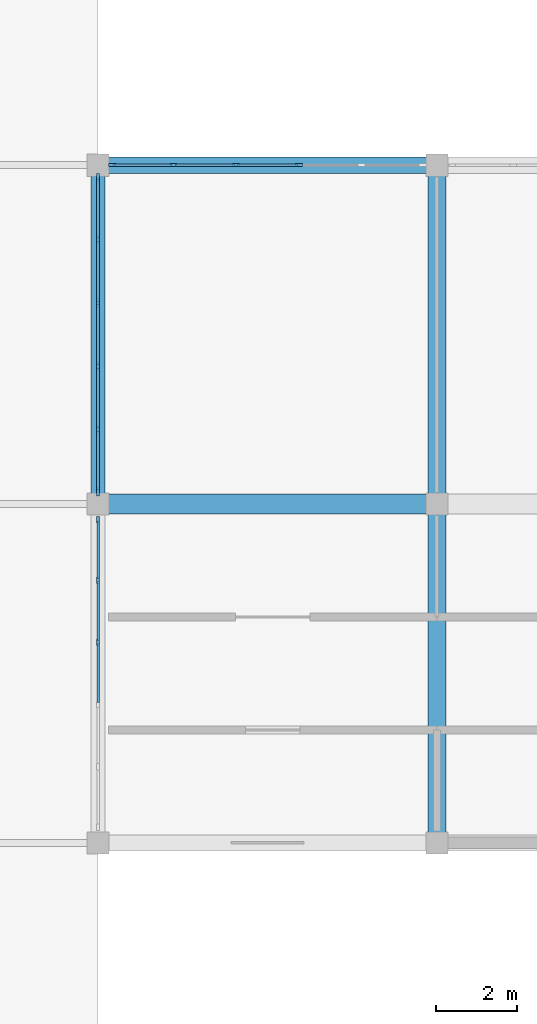
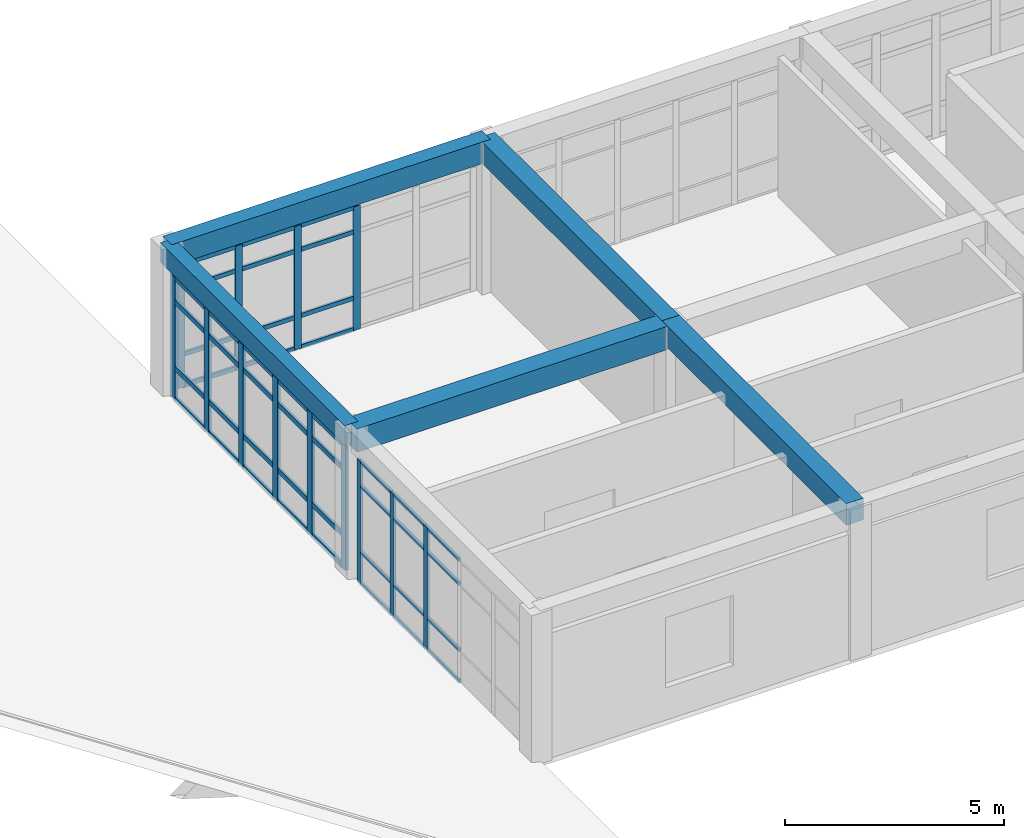
# One storey, part 10 of 77: 57 members, 5 beams, 3 elements without a shape of their own.
"""IFC4 building model written with IfcOpenShell, lengths in metres."""

import ifcopenshell
import ifcopenshell.guid

model = None  # the IFC model being written
_history = None  # IfcOwnerHistory: only IFC2X3 demands one
_inside = {}  # id of a spatial element -> (the spatial element, [elements in it])
_under = {}  # id of a project, library or spatial element -> (it, [spatial elements below it])
_declared = {}  # id of a project -> (the project, [libraries it declares])
_typed = {}  # id of a type object -> (the type object, [elements of that type])
_made_of = {}  # id of a material, layer set ... -> (it, [elements and type objects made of it])


def new_model(schema):
    """Start an empty IFC model of exactly this schema.

    Asked for "IFC4X3", IfcOpenShell would pick the latest addendum, in which some entities
    have other attributes; the version numbers below select the first issue.
    IFC2X3 requires an IfcOwnerHistory on every rooted entity: one is made here for all.
    """
    global model, _history
    if schema == "IFC4X3":
        model = ifcopenshell.file(schema_version=(4, 3, 0, 0))
    else:
        model = ifcopenshell.file(schema=schema)
    _inside.clear()
    _under.clear()
    _declared.clear()
    _typed.clear()
    _made_of.clear()
    _history = None
    if model.schema == "IFC2X3":
        org = make("IfcOrganization", Name="unknown")
        user = make(
            "IfcPersonAndOrganization",
            ThePerson=make("IfcPerson", FamilyName="unknown"),
            TheOrganization=org,
        )
        app = make(
            "IfcApplication",
            ApplicationDeveloper=org,
            Version="unknown",
            ApplicationFullName="unknown",
            ApplicationIdentifier="unknown",
        )
        _history = make(
            "IfcOwnerHistory",
            OwningUser=user,
            OwningApplication=app,
            ChangeAction="ADDED",
            CreationDate=0,
        )
    return model


def make(cls, **values):
    """One entity of the class cls with the attributes given. An attribute that is None is left unset."""
    return model.create_entity(
        cls, **{name: value for name, value in values.items() if value is not None}
    )


def rooted(cls, **values):
    """An entity with a GlobalId (a new one), such as an element, a storey or a relation."""
    return make(cls, GlobalId=ifcopenshell.guid.new(), OwnerHistory=_history, **values)


def si_unit(unit_type, name, prefix=None):
    """IfcSIUnit, for example si_unit("LENGTHUNIT", "METRE", prefix="MILLI")."""
    return make("IfcSIUnit", UnitType=unit_type, Prefix=prefix, Name=name)


def assignment(units):
    """IfcUnitAssignment: the units of a project."""
    return None if units is None else make("IfcUnitAssignment", Units=units)


def point(xyz):
    """IfcCartesianPoint."""
    return None if xyz is None else make("IfcCartesianPoint", Coordinates=xyz)


def direction(xyz):
    """IfcDirection."""
    return None if xyz is None else make("IfcDirection", DirectionRatios=xyz)


def frame(location, z_axis=None, x_axis=None):
    """IfcAxis2Placement3D, a coordinate frame: its origin and axes. An axis left out is left unset."""
    return make(
        "IfcAxis2Placement3D",
        Location=point(location),
        Axis=direction(z_axis),
        RefDirection=direction(x_axis),
    )


def frame_2d(location, x_axis=None):
    """IfcAxis2Placement2D, a coordinate frame in the plane: its origin and x axis."""
    return make(
        "IfcAxis2Placement2D", Location=point(location), RefDirection=direction(x_axis)
    )


def origin():
    """The frame at (0, 0, 0) with its axes left unset."""
    return frame((0.0, 0.0, 0.0))


def origin_2d():
    """The frame at (0, 0) in the plane with its x axis left unset."""
    return frame_2d((0.0, 0.0))


def place(relative_to, where):
    """IfcLocalPlacement: puts the frame where relative to a parent placement (None: the world)."""
    return make(
        "IfcLocalPlacement", PlacementRelTo=relative_to, RelativePlacement=where
    )


def context(
    kind, dimensions, precision=None, world=None, true_north=None, identifier=None
):
    """IfcGeometricRepresentationContext, for example the 3D "Model" context."""
    return make(
        "IfcGeometricRepresentationContext",
        ContextIdentifier=identifier,
        ContextType=kind,
        CoordinateSpaceDimension=dimensions,
        Precision=precision,
        WorldCoordinateSystem=world,
        TrueNorth=true_north,
    )


def subcontext(parent, identifier, kind, view, scale=None):
    """IfcGeometricRepresentationSubContext, for example "Body" below "Model"."""
    return make(
        "IfcGeometricRepresentationSubContext",
        ContextIdentifier=identifier,
        ContextType=kind,
        ParentContext=parent,
        TargetScale=scale,
        TargetView=view,
    )


def project(units=None, contexts=None):
    """IfcProject with its units and contexts."""
    return rooted(
        "IfcProject",
        Name="project",
        RepresentationContexts=contexts,
        UnitsInContext=assignment(units),
    )


def spatial(cls, under=None, at=None, **own):
    """A site, building, storey or space (cls), placed at a placement, below another one or the project."""
    s = rooted(cls, ObjectPlacement=at, **own)
    if under is not None:
        _under.setdefault(under.id(), (under, []))[1].append(s)
    return s


def profile(cls, at=None, kind="AREA", **sizes):
    """A parametric profile (cls). Its sizes go by their IFC names, for example OverallWidth=200.0."""
    return make(cls, ProfileType=kind, Position=at, **sizes)


def rectangle(**sizes):
    """IfcRectangleProfileDef."""
    return profile("IfcRectangleProfileDef", **sizes)


def extrude(swept, where, along, depth):
    """IfcExtrudedAreaSolid: the profile swept, set in the frame where, extruded along a direction by depth."""
    return make(
        "IfcExtrudedAreaSolid",
        SweptArea=swept,
        Position=where,
        ExtrudedDirection=direction(along),
        Depth=depth,
    )


def shape(context_of_items, identifier, shape_type, items):
    """IfcShapeRepresentation: the items that make up one representation, for example the "Body"."""
    return make(
        "IfcShapeRepresentation",
        ContextOfItems=context_of_items,
        RepresentationIdentifier=identifier,
        RepresentationType=shape_type,
        Items=items,
    )


def material(Name=None, Category=None):
    """IfcMaterial."""
    return make("IfcMaterial", Name=Name, Category=Category)


def material_profile(
    of_material, cross_section, Name=None, Category=None, Priority=None
):
    """IfcMaterialProfile: a cross section and its material."""
    return make(
        "IfcMaterialProfile",
        Name=Name,
        Material=of_material,
        Profile=cross_section,
        Priority=Priority,
        Category=Category,
    )


def profile_set(profiles, Name=None, composite=None):
    """IfcMaterialProfileSet."""
    return make(
        "IfcMaterialProfileSet",
        Name=Name,
        MaterialProfiles=profiles,
        CompositeProfile=composite,
    )


def made_of(thing, what):
    """Note that an element or type object is made of a material, layer set ...; save() writes the relation."""
    if what is not None:
        _made_of.setdefault(what.id(), (what, []))[1].append(thing)
    return thing


def type_object(cls, material=None, **own):
    """A type object (cls), such as IfcWallType, which elements share."""
    return made_of(rooted(cls, **own), material)


def element(
    cls,
    number,
    at=None,
    inside=None,
    cuts=None,
    type_object=None,
    material=None,
    context=None,
    identifier="Body",
    shape_type=None,
    held_by="IfcProductDefinitionShape",
    body=None,
    shapes=None,
    **own,
):
    """One element of the class cls, such as IfcWall. Its Tag is "e" and its number.

    at: its placement. inside: the storey or other place that contains it. cuts: it is an
    opening in that element (IfcRelVoidsElement). A single representation is given by context,
    identifier, shape_type and body (its items); several are given by shapes. held_by: the class
    of the entity that holds the representations. save() writes the other relations.
    """
    e = rooted(cls, Tag="e%d" % number, ObjectPlacement=at, **own)
    if body is not None:
        shapes = [shape(context, identifier, shape_type, body)]
    if shapes is not None:
        e.Representation = make(held_by, Representations=shapes)
    if inside is not None:
        _inside.setdefault(inside.id(), (inside, []))[1].append(e)
    if cuts is not None:
        rooted(
            "IfcRelVoidsElement", RelatingBuildingElement=cuts, RelatedOpeningElement=e
        )
    if type_object is not None:
        _typed.setdefault(type_object.id(), (type_object, []))[1].append(e)
    return made_of(e, material)


def aggregate(whole, parts):
    """IfcRelAggregates: a whole, such as a stair, and the parts it consists of."""
    return rooted("IfcRelAggregates", RelatingObject=whole, RelatedObjects=parts)


def save(model, path):
    """Write the relations noted so far, then the file.

    IfcRelAggregates (storeys below a building ...), IfcRelContainedInSpatialStructure (elements
    in a storey), IfcRelDefinesByType, IfcRelAssociatesMaterial and IfcRelDeclares: one each for
    every whole, place, type object, material and project.
    """
    for whole, parts in _under.values():
        aggregate(whole, parts)
    for where, things in _inside.values():
        rooted(
            "IfcRelContainedInSpatialStructure",
            RelatedElements=things,
            RelatingStructure=where,
        )
    for kind, things in _typed.values():
        rooted("IfcRelDefinesByType", RelatedObjects=things, RelatingType=kind)
    for what, things in _made_of.values():
        rooted("IfcRelAssociatesMaterial", RelatedObjects=things, RelatingMaterial=what)
    for by, libraries in _declared.values():
        rooted("IfcRelDeclares", RelatingContext=by, RelatedDefinitions=libraries)
    model.write(path)


model = new_model("IFC4")

# Units and contexts
model_context = context("Model", 3, precision=1e-05, world=origin(), true_north=direction((0.0, 1.0)))
body_context = subcontext(model_context, "Body", "Model", "MODEL_VIEW")
ifc_project = project(units=[si_unit("LENGTHUNIT", "METRE"), si_unit("AREAUNIT", "SQUARE_METRE"), si_unit("VOLUMEUNIT", "CUBIC_METRE"), si_unit("PLANEANGLEUNIT", "RADIAN"), si_unit("MASSUNIT", "GRAM", prefix="KILO")], contexts=[model_context])

# Site, building, storey
site_placement = place(None, origin())
site = spatial("IfcSite", under=ifc_project, at=site_placement, CompositionType="ELEMENT")
building_placement = place(site_placement, origin())
building = spatial("IfcBuilding", under=site, at=building_placement, Name="Varncliffe General Hospital", CompositionType="ELEMENT")
storey_placement = place(building_placement, frame((0.0, 0.0, 16.199951171875)))
storey = spatial("IfcBuildingStorey", under=building, at=storey_placement, Name="L03", CompositionType="ELEMENT", Elevation=16.199951171875)

# Beams
ifc_material_1 = material(Name="Concrete C35/45 (CSA A23.1 35 MPa)", Category="concrete")
ifc_material_profile_1 = material_profile(ifc_material_1, rectangle(XDim=0.5, YDim=0.64990234375, at=origin_2d()), Name="RC 500x650")
ifc_profile_set_1 = profile_set([ifc_material_profile_1], Name="Concrete C35/45 (CSA A23.1 35 MPa)")
beam_type_1 = type_object("IfcBeamType", Name="Beam B29 (Int RC 500x650)", PredefinedType="BEAM", material=ifc_profile_set_1)
beam_1_placement = place(storey_placement, frame((117.60009765625, 32.39990234375, 3.875), z_axis=(1.0, 0.0, 0.0), x_axis=(0.0, 1.0, 0.0)))
element("IfcBeam", 1, at=beam_1_placement, inside=storey, type_object=beam_type_1, Name="L03 Primary Beam B29-17", PredefinedType="BEAM", context=body_context, shape_type="SweptSolid", body=[
    extrude(rectangle(XDim=0.5, YDim=0.64990234375, at=origin_2d()), origin(), (0.0, 0.0, 1.0), 8.39990234375),
])
ifc_material_profile_2 = material_profile(ifc_material_1, rectangle(XDim=0.449951171875, YDim=0.60009765625, at=origin_2d()), Name="RC 450x600")
ifc_profile_set_2 = profile_set([ifc_material_profile_2], Name="Concrete C35/45 (CSA A23.1 35 MPa)")
beam_type_2 = type_object("IfcBeamType", Name="Beam B47 (Int RC 450x600)", PredefinedType="BEAM", material=ifc_profile_set_2)
beam_2_placement = place(storey_placement, frame((126.0, 24.0, 3.900146484375), z_axis=(0.0, 1.0, 0.0), x_axis=(-1.0, 0.0, 0.0)))
element("IfcBeam", 2, at=beam_2_placement, inside=storey, type_object=beam_type_2, Name="L03 Primary Beam B47-336", PredefinedType="BEAM", context=body_context, shape_type="SweptSolid", body=[
    extrude(rectangle(XDim=0.449951171875, YDim=0.60009765625, at=origin_2d()), origin(), (0.0, 0.0, 1.0), 8.39990234375),
])
beam_3_placement = place(storey_placement, frame((126.0, 32.39990234375, 3.900146484375), z_axis=(0.0, 1.0, 0.0), x_axis=(-1.0, 0.0, 0.0)))
element("IfcBeam", 3, at=beam_3_placement, inside=storey, type_object=beam_type_2, Name="L03 Primary Beam B47-337", PredefinedType="BEAM", context=body_context, shape_type="SweptSolid", body=[
    extrude(rectangle(XDim=0.449951171875, YDim=0.60009765625, at=origin_2d()), origin(), (0.0, 0.0, 1.0), 8.400146484375),
])

# Curtain wall, members
ifc_material_2 = material(Name="Triple low-E argon insulated vision glazing", Category="glass")
curtain_wall_type_1 = type_object("IfcCurtainWallType", Name="Unitised Glazed Curtain Wall CW23 (7774x3440)", PredefinedType="USERDEFINED", material=ifc_material_2)
curtain_wall_1_placement = place(storey_placement, origin())
curtain_wall_1 = element("IfcCurtainWall", 4, at=curtain_wall_1_placement, inside=storey, type_object=curtain_wall_type_1, Name="L03 Glazed Curtain Wall CW23-160", ObjectType="GLAZED CURTAIN WALL", PredefinedType="USERDEFINED")
ifc_material_3 = material(Name="Dark bronze thermally broken aluminium framing", Category="aluminium")
ifc_material_profile_3 = material_profile(ifc_material_3, rectangle(XDim=0.074951171875, YDim=0.179931640625, at=origin_2d()), Name="ALU 75x180")
ifc_profile_set_3 = profile_set([ifc_material_profile_3], Name="Dark bronze thermally broken aluminium framing")
member_type_1 = type_object("IfcMemberType", Name="Curtain Wall Mullion CM44 (ALU 75x180)", PredefinedType="MULLION", material=ifc_profile_set_3)
member_1_placement = place(storey_placement, frame((117.950439453125, 40.800048828125, 0.0), z_axis=(0.0, 0.0, 1.0), x_axis=(0.0, 1.0, 0.0)))
member_1 = element("IfcMember", 5, at=member_1_placement, type_object=member_type_1, Name="CW23 mullion 1", PredefinedType="MULLION", context=body_context, shape_type="SweptSolid", body=[
    extrude(rectangle(XDim=0.074951171875, YDim=0.179931640625, at=origin_2d()), origin(), (0.0, 0.0, 1.0), 3.43994140625),
])
member_2_placement = place(storey_placement, frame((119.4677734375, 40.800048828125, 0.0), z_axis=(0.0, 0.0, 1.0), x_axis=(0.0, 1.0, 0.0)))
member_2 = element("IfcMember", 6, at=member_2_placement, type_object=member_type_1, Name="CW23 mullion 2", PredefinedType="MULLION", context=body_context, shape_type="SweptSolid", body=[
    extrude(rectangle(XDim=0.074951171875, YDim=0.179931640625, at=origin_2d()), origin(), (0.0, 0.0, 1.0), 3.43994140625),
])
member_3_placement = place(storey_placement, frame((121.022705078125, 40.800048828125, 0.0), z_axis=(0.0, 0.0, 1.0), x_axis=(0.0, 1.0, 0.0)))
member_3 = element("IfcMember", 7, at=member_3_placement, type_object=member_type_1, Name="CW23 mullion 3", PredefinedType="MULLION", context=body_context, shape_type="SweptSolid", body=[
    extrude(rectangle(XDim=0.074951171875, YDim=0.179931640625, at=origin_2d()), origin(), (0.0, 0.0, 1.0), 3.43994140625),
])
member_4_placement = place(storey_placement, frame((122.577392578125, 40.800048828125, 0.0), z_axis=(0.0, 0.0, 1.0), x_axis=(0.0, 1.0, 0.0)))
member_4 = element("IfcMember", 8, at=member_4_placement, type_object=member_type_1, Name="CW23 mullion 4", PredefinedType="MULLION", context=body_context, shape_type="SweptSolid", body=[
    extrude(rectangle(XDim=0.074951171875, YDim=0.179931640625, at=origin_2d()), origin(), (0.0, 0.0, 1.0), 3.43994140625),
])

curtain_wall_type_2 = type_object("IfcCurtainWallType", Name="Unitised Glazed Curtain Wall CW37 (7694x3440)", PredefinedType="USERDEFINED", material=ifc_material_2)
curtain_wall_2_placement = place(storey_placement, origin())
curtain_wall_2 = element("IfcCurtainWall", 9, at=curtain_wall_2_placement, inside=storey, type_object=curtain_wall_type_2, Name="L03 Glazed Curtain Wall CW37-158", ObjectType="GLAZED CURTAIN WALL", PredefinedType="USERDEFINED")
ifc_material_profile_4 = material_profile(ifc_material_3, rectangle(XDim=0.06494140625, YDim=0.159912109375, at=origin_2d()), Name="ALU 65x160")
ifc_profile_set_4 = profile_set([ifc_material_profile_4], Name="Dark bronze thermally broken aluminium framing")
member_type_2 = type_object("IfcMemberType", Name="Curtain Wall Mullion CM65 (ALU 65x160)", PredefinedType="MULLION", material=ifc_profile_set_4)
member_5_placement = place(storey_placement, frame((117.60009765625, 28.969482421875, 0.0), z_axis=(0.0, 0.0, 1.0), x_axis=(-1.0, 0.0, 0.0)))
member_5 = element("IfcMember", 10, at=member_5_placement, type_object=member_type_2, Name="CW37 mullion 4", PredefinedType="MULLION", context=body_context, shape_type="SweptSolid", body=[
    extrude(rectangle(XDim=0.06494140625, YDim=0.159912109375, at=origin_2d()), origin(), (0.0, 0.0, 1.0), 3.43994140625),
])
member_6_placement = place(storey_placement, frame((117.60009765625, 30.50830078125, 0.0), z_axis=(0.0, 0.0, 1.0), x_axis=(-1.0, 0.0, 0.0)))
member_6 = element("IfcMember", 11, at=member_6_placement, type_object=member_type_2, Name="CW37 mullion 5", PredefinedType="MULLION", context=body_context, shape_type="SweptSolid", body=[
    extrude(rectangle(XDim=0.06494140625, YDim=0.159912109375, at=origin_2d()), origin(), (0.0, 0.0, 1.0), 3.43994140625),
])
member_7_placement = place(storey_placement, frame((117.60009765625, 32.014404296875, 0.0), z_axis=(0.0, 0.0, 1.0), x_axis=(-1.0, 0.0, 0.0)))
member_7 = element("IfcMember", 12, at=member_7_placement, type_object=member_type_2, Name="CW37 mullion 6", PredefinedType="MULLION", context=body_context, shape_type="SweptSolid", body=[
    extrude(rectangle(XDim=0.06494140625, YDim=0.159912109375, at=origin_2d()), origin(), (0.0, 0.0, 1.0), 3.43994140625),
])

curtain_wall_type_3 = type_object("IfcCurtainWallType", Name="Unitised Glazed Curtain Wall CW83 (7854x3440)", PredefinedType="USERDEFINED", material=ifc_material_2)
curtain_wall_3_placement = place(storey_placement, origin())
curtain_wall_3 = element("IfcCurtainWall", 13, at=curtain_wall_3_placement, inside=storey, type_object=curtain_wall_type_3, Name="L03 Glazed Curtain Wall CW83-159", ObjectType="GLAZED CURTAIN WALL", PredefinedType="USERDEFINED")
ifc_material_profile_5 = material_profile(ifc_material_3, rectangle(XDim=0.074951171875, YDim=0.219970703125, at=origin_2d()), Name="ALU 75x220")
ifc_profile_set_5 = profile_set([ifc_material_profile_5], Name="Dark bronze thermally broken aluminium framing")
member_type_3 = type_object("IfcMemberType", Name="Curtain Wall Mullion CM74 (ALU 75x220)", PredefinedType="MULLION", material=ifc_profile_set_5)
member_8_placement = place(storey_placement, frame((117.60009765625, 32.71044921875, 0.0), z_axis=(0.0, 0.0, 1.0), x_axis=(-1.0, 0.0, 0.0)))
member_8 = element("IfcMember", 14, at=member_8_placement, type_object=member_type_3, Name="CW83 mullion 1", PredefinedType="MULLION", context=body_context, shape_type="SweptSolid", body=[
    extrude(rectangle(XDim=0.074951171875, YDim=0.219970703125, at=origin_2d()), origin(), (0.0, 0.0, 1.0), 3.43994140625),
])
member_9_placement = place(storey_placement, frame((117.60009765625, 34.243896484375, 0.0), z_axis=(0.0, 0.0, 1.0), x_axis=(-1.0, 0.0, 0.0)))
member_9 = element("IfcMember", 15, at=member_9_placement, type_object=member_type_3, Name="CW83 mullion 2", PredefinedType="MULLION", context=body_context, shape_type="SweptSolid", body=[
    extrude(rectangle(XDim=0.074951171875, YDim=0.219970703125, at=origin_2d()), origin(), (0.0, 0.0, 1.0), 3.43994140625),
])
member_10_placement = place(storey_placement, frame((117.60009765625, 35.814697265625, 0.0), z_axis=(0.0, 0.0, 1.0), x_axis=(-1.0, 0.0, 0.0)))
member_10 = element("IfcMember", 16, at=member_10_placement, type_object=member_type_3, Name="CW83 mullion 3", PredefinedType="MULLION", context=body_context, shape_type="SweptSolid", body=[
    extrude(rectangle(XDim=0.074951171875, YDim=0.219970703125, at=origin_2d()), origin(), (0.0, 0.0, 1.0), 3.43994140625),
])
member_11_placement = place(storey_placement, frame((117.60009765625, 37.385498046875, 0.0), z_axis=(0.0, 0.0, 1.0), x_axis=(-1.0, 0.0, 0.0)))
member_11 = element("IfcMember", 17, at=member_11_placement, type_object=member_type_3, Name="CW83 mullion 4", PredefinedType="MULLION", context=body_context, shape_type="SweptSolid", body=[
    extrude(rectangle(XDim=0.074951171875, YDim=0.219970703125, at=origin_2d()), origin(), (0.0, 0.0, 1.0), 3.43994140625),
])
member_12_placement = place(storey_placement, frame((117.60009765625, 38.956298828125, 0.0), z_axis=(0.0, 0.0, 1.0), x_axis=(-1.0, 0.0, 0.0)))
member_12 = element("IfcMember", 18, at=member_12_placement, type_object=member_type_3, Name="CW83 mullion 5", PredefinedType="MULLION", context=body_context, shape_type="SweptSolid", body=[
    extrude(rectangle(XDim=0.074951171875, YDim=0.219970703125, at=origin_2d()), origin(), (0.0, 0.0, 1.0), 3.43994140625),
])
member_13_placement = place(storey_placement, frame((117.60009765625, 40.489501953125, 0.0), z_axis=(0.0, 0.0, 1.0), x_axis=(-1.0, 0.0, 0.0)))
member_13 = element("IfcMember", 19, at=member_13_placement, type_object=member_type_3, Name="CW83 mullion 6", PredefinedType="MULLION", context=body_context, shape_type="SweptSolid", body=[
    extrude(rectangle(XDim=0.074951171875, YDim=0.219970703125, at=origin_2d()), origin(), (0.0, 0.0, 1.0), 3.43994140625),
])

# Member
ifc_material_profile_6 = material_profile(ifc_material_3, rectangle(XDim=0.06005859375, YDim=0.1201171875, at=origin_2d()), Name="ALU 60x120")
ifc_profile_set_6 = profile_set([ifc_material_profile_6], Name="Dark bronze thermally broken aluminium framing")
member_type_4 = type_object("IfcMemberType", Name="Curtain Wall Transom CT14 (ALU 60x120)", PredefinedType="USERDEFINED", material=ifc_profile_set_6)
member_14_placement = place(storey_placement, frame((117.988037109375, 40.800048828125, 0.030029296875), z_axis=(1.0, 0.0, 0.0), x_axis=(0.0, 1.0, 0.0)))
member_14 = element("IfcMember", 20, at=member_14_placement, type_object=member_type_4, Name="CW23 transom 1.1", ObjectType="TRANSOM", PredefinedType="USERDEFINED", context=body_context, shape_type="SweptSolid", body=[
    extrude(rectangle(XDim=0.06005859375, YDim=0.1201171875, at=origin_2d()), origin(), (0.0, 0.0, 1.0), 1.4423828125),
])

member_15_placement = place(storey_placement, frame((117.988037109375, 40.800048828125, 0.900146484375), z_axis=(1.0, 0.0, 0.0), x_axis=(0.0, 1.0, 0.0)))
member_15 = element("IfcMember", 21, at=member_15_placement, type_object=member_type_4, Name="CW23 transom 1.2", ObjectType="TRANSOM", PredefinedType="USERDEFINED", context=body_context, shape_type="SweptSolid", body=[
    extrude(rectangle(XDim=0.06005859375, YDim=0.1201171875, at=origin_2d()), origin(), (0.0, 0.0, 1.0), 1.4423828125),
])

member_16_placement = place(storey_placement, frame((117.988037109375, 40.800048828125, 2.739990234375), z_axis=(1.0, 0.0, 0.0), x_axis=(0.0, 1.0, 0.0)))
member_16 = element("IfcMember", 22, at=member_16_placement, type_object=member_type_4, Name="CW23 transom 1.3", ObjectType="TRANSOM", PredefinedType="USERDEFINED", context=body_context, shape_type="SweptSolid", body=[
    extrude(rectangle(XDim=0.06005859375, YDim=0.1201171875, at=origin_2d()), origin(), (0.0, 0.0, 1.0), 1.4423828125),
])

member_17_placement = place(storey_placement, frame((117.988037109375, 40.800048828125, 3.41015625), z_axis=(1.0, 0.0, 0.0), x_axis=(0.0, 1.0, 0.0)))
member_17 = element("IfcMember", 23, at=member_17_placement, type_object=member_type_4, Name="CW23 transom 1.4", ObjectType="TRANSOM", PredefinedType="USERDEFINED", context=body_context, shape_type="SweptSolid", body=[
    extrude(rectangle(XDim=0.06005859375, YDim=0.1201171875, at=origin_2d()), origin(), (0.0, 0.0, 1.0), 1.4423828125),
])

member_18_placement = place(storey_placement, frame((119.50537109375, 40.800048828125, 0.030029296875), z_axis=(1.0, 0.0, 0.0), x_axis=(0.0, 1.0, 0.0)))
member_18 = element("IfcMember", 24, at=member_18_placement, type_object=member_type_4, Name="CW23 transom 2.1", ObjectType="TRANSOM", PredefinedType="USERDEFINED", context=body_context, shape_type="SweptSolid", body=[
    extrude(rectangle(XDim=0.06005859375, YDim=0.1201171875, at=origin_2d()), origin(), (0.0, 0.0, 1.0), 1.479736328125),
])

member_19_placement = place(storey_placement, frame((119.50537109375, 40.800048828125, 0.900146484375), z_axis=(1.0, 0.0, 0.0), x_axis=(0.0, 1.0, 0.0)))
member_19 = element("IfcMember", 25, at=member_19_placement, type_object=member_type_4, Name="CW23 transom 2.2", ObjectType="TRANSOM", PredefinedType="USERDEFINED", context=body_context, shape_type="SweptSolid", body=[
    extrude(rectangle(XDim=0.06005859375, YDim=0.1201171875, at=origin_2d()), origin(), (0.0, 0.0, 1.0), 1.479736328125),
])

member_20_placement = place(storey_placement, frame((119.50537109375, 40.800048828125, 2.739990234375), z_axis=(1.0, 0.0, 0.0), x_axis=(0.0, 1.0, 0.0)))
member_20 = element("IfcMember", 26, at=member_20_placement, type_object=member_type_4, Name="CW23 transom 2.3", ObjectType="TRANSOM", PredefinedType="USERDEFINED", context=body_context, shape_type="SweptSolid", body=[
    extrude(rectangle(XDim=0.06005859375, YDim=0.1201171875, at=origin_2d()), origin(), (0.0, 0.0, 1.0), 1.479736328125),
])

member_21_placement = place(storey_placement, frame((119.50537109375, 40.800048828125, 3.41015625), z_axis=(1.0, 0.0, 0.0), x_axis=(0.0, 1.0, 0.0)))
member_21 = element("IfcMember", 27, at=member_21_placement, type_object=member_type_4, Name="CW23 transom 2.4", ObjectType="TRANSOM", PredefinedType="USERDEFINED", context=body_context, shape_type="SweptSolid", body=[
    extrude(rectangle(XDim=0.06005859375, YDim=0.1201171875, at=origin_2d()), origin(), (0.0, 0.0, 1.0), 1.479736328125),
])

member_22_placement = place(storey_placement, frame((121.06005859375, 40.800048828125, 0.030029296875), z_axis=(1.0, 0.0, 0.0), x_axis=(0.0, 1.0, 0.0)))
member_22 = element("IfcMember", 28, at=member_22_placement, type_object=member_type_4, Name="CW23 transom 3.1", ObjectType="TRANSOM", PredefinedType="USERDEFINED", context=body_context, shape_type="SweptSolid", body=[
    extrude(rectangle(XDim=0.06005859375, YDim=0.1201171875, at=origin_2d()), origin(), (0.0, 0.0, 1.0), 1.479736328125),
])

member_23_placement = place(storey_placement, frame((121.06005859375, 40.800048828125, 0.900146484375), z_axis=(1.0, 0.0, 0.0), x_axis=(0.0, 1.0, 0.0)))
member_23 = element("IfcMember", 29, at=member_23_placement, type_object=member_type_4, Name="CW23 transom 3.2", ObjectType="TRANSOM", PredefinedType="USERDEFINED", context=body_context, shape_type="SweptSolid", body=[
    extrude(rectangle(XDim=0.06005859375, YDim=0.1201171875, at=origin_2d()), origin(), (0.0, 0.0, 1.0), 1.479736328125),
])

member_24_placement = place(storey_placement, frame((121.06005859375, 40.800048828125, 2.739990234375), z_axis=(1.0, 0.0, 0.0), x_axis=(0.0, 1.0, 0.0)))
member_24 = element("IfcMember", 30, at=member_24_placement, type_object=member_type_4, Name="CW23 transom 3.3", ObjectType="TRANSOM", PredefinedType="USERDEFINED", context=body_context, shape_type="SweptSolid", body=[
    extrude(rectangle(XDim=0.06005859375, YDim=0.1201171875, at=origin_2d()), origin(), (0.0, 0.0, 1.0), 1.479736328125),
])

member_25_placement = place(storey_placement, frame((121.06005859375, 40.800048828125, 3.41015625), z_axis=(1.0, 0.0, 0.0), x_axis=(0.0, 1.0, 0.0)))
member_25 = element("IfcMember", 31, at=member_25_placement, type_object=member_type_4, Name="CW23 transom 3.4", ObjectType="TRANSOM", PredefinedType="USERDEFINED", context=body_context, shape_type="SweptSolid", body=[
    extrude(rectangle(XDim=0.06005859375, YDim=0.1201171875, at=origin_2d()), origin(), (0.0, 0.0, 1.0), 1.479736328125),
])

aggregate(curtain_wall_1, [member_1, member_2, member_3, member_4, member_14, member_15, member_16, member_17, member_18, member_19, member_20, member_21, member_22, member_23, member_24, member_25])

ifc_material_profile_7 = material_profile(ifc_material_3, rectangle(XDim=0.06005859375, YDim=0.10009765625, at=origin_2d()), Name="ALU 60x100")
ifc_profile_set_7 = profile_set([ifc_material_profile_7], Name="Dark bronze thermally broken aluminium framing")
member_type_5 = type_object("IfcMemberType", Name="Curtain Wall Transom CT18 (ALU 60x100)", PredefinedType="USERDEFINED", material=ifc_profile_set_7)
member_26_placement = place(storey_placement, frame((117.60009765625, 27.463134765625, 0.030029296875), z_axis=(0.0, 1.0, 0.0), x_axis=(-1.0, 0.0, 0.0)))
member_26 = element("IfcMember", 32, at=member_26_placement, type_object=member_type_5, Name="CW37 transom 3.1", ObjectType="TRANSOM", PredefinedType="USERDEFINED", context=body_context, shape_type="SweptSolid", body=[
    extrude(rectangle(XDim=0.06005859375, YDim=0.10009765625, at=origin_2d()), origin(), (0.0, 0.0, 1.0), 1.473876953125),
])

member_27_placement = place(storey_placement, frame((117.60009765625, 27.463134765625, 0.900146484375), z_axis=(0.0, 1.0, 0.0), x_axis=(-1.0, 0.0, 0.0)))
member_27 = element("IfcMember", 33, at=member_27_placement, type_object=member_type_5, Name="CW37 transom 3.2", ObjectType="TRANSOM", PredefinedType="USERDEFINED", context=body_context, shape_type="SweptSolid", body=[
    extrude(rectangle(XDim=0.06005859375, YDim=0.10009765625, at=origin_2d()), origin(), (0.0, 0.0, 1.0), 1.473876953125),
])

member_28_placement = place(storey_placement, frame((117.60009765625, 27.463134765625, 2.739990234375), z_axis=(0.0, 1.0, 0.0), x_axis=(-1.0, 0.0, 0.0)))
member_28 = element("IfcMember", 34, at=member_28_placement, type_object=member_type_5, Name="CW37 transom 3.3", ObjectType="TRANSOM", PredefinedType="USERDEFINED", context=body_context, shape_type="SweptSolid", body=[
    extrude(rectangle(XDim=0.06005859375, YDim=0.10009765625, at=origin_2d()), origin(), (0.0, 0.0, 1.0), 1.473876953125),
])

member_29_placement = place(storey_placement, frame((117.60009765625, 27.463134765625, 3.41015625), z_axis=(0.0, 1.0, 0.0), x_axis=(-1.0, 0.0, 0.0)))
member_29 = element("IfcMember", 35, at=member_29_placement, type_object=member_type_5, Name="CW37 transom 3.4", ObjectType="TRANSOM", PredefinedType="USERDEFINED", context=body_context, shape_type="SweptSolid", body=[
    extrude(rectangle(XDim=0.06005859375, YDim=0.10009765625, at=origin_2d()), origin(), (0.0, 0.0, 1.0), 1.473876953125),
])

member_30_placement = place(storey_placement, frame((117.60009765625, 29.001953125, 0.030029296875), z_axis=(0.0, 1.0, 0.0), x_axis=(-1.0, 0.0, 0.0)))
member_30 = element("IfcMember", 36, at=member_30_placement, type_object=member_type_5, Name="CW37 transom 4.1", ObjectType="TRANSOM", PredefinedType="USERDEFINED", context=body_context, shape_type="SweptSolid", body=[
    extrude(rectangle(XDim=0.06005859375, YDim=0.10009765625, at=origin_2d()), origin(), (0.0, 0.0, 1.0), 1.4736328125),
])

member_31_placement = place(storey_placement, frame((117.60009765625, 29.001953125, 0.900146484375), z_axis=(0.0, 1.0, 0.0), x_axis=(-1.0, 0.0, 0.0)))
member_31 = element("IfcMember", 37, at=member_31_placement, type_object=member_type_5, Name="CW37 transom 4.2", ObjectType="TRANSOM", PredefinedType="USERDEFINED", context=body_context, shape_type="SweptSolid", body=[
    extrude(rectangle(XDim=0.06005859375, YDim=0.10009765625, at=origin_2d()), origin(), (0.0, 0.0, 1.0), 1.4736328125),
])

member_32_placement = place(storey_placement, frame((117.60009765625, 29.001953125, 2.739990234375), z_axis=(0.0, 1.0, 0.0), x_axis=(-1.0, 0.0, 0.0)))
member_32 = element("IfcMember", 38, at=member_32_placement, type_object=member_type_5, Name="CW37 transom 4.3", ObjectType="TRANSOM", PredefinedType="USERDEFINED", context=body_context, shape_type="SweptSolid", body=[
    extrude(rectangle(XDim=0.06005859375, YDim=0.10009765625, at=origin_2d()), origin(), (0.0, 0.0, 1.0), 1.4736328125),
])

member_33_placement = place(storey_placement, frame((117.60009765625, 29.001953125, 3.41015625), z_axis=(0.0, 1.0, 0.0), x_axis=(-1.0, 0.0, 0.0)))
member_33 = element("IfcMember", 39, at=member_33_placement, type_object=member_type_5, Name="CW37 transom 4.4", ObjectType="TRANSOM", PredefinedType="USERDEFINED", context=body_context, shape_type="SweptSolid", body=[
    extrude(rectangle(XDim=0.06005859375, YDim=0.10009765625, at=origin_2d()), origin(), (0.0, 0.0, 1.0), 1.4736328125),
])

member_34_placement = place(storey_placement, frame((117.60009765625, 30.540771484375, 0.030029296875), z_axis=(0.0, 1.0, 0.0), x_axis=(-1.0, 0.0, 0.0)))
member_34 = element("IfcMember", 40, at=member_34_placement, type_object=member_type_5, Name="CW37 transom 5.1", ObjectType="TRANSOM", PredefinedType="USERDEFINED", context=body_context, shape_type="SweptSolid", body=[
    extrude(rectangle(XDim=0.06005859375, YDim=0.10009765625, at=origin_2d()), origin(), (0.0, 0.0, 1.0), 1.441162109375),
])

member_35_placement = place(storey_placement, frame((117.60009765625, 30.540771484375, 0.900146484375), z_axis=(0.0, 1.0, 0.0), x_axis=(-1.0, 0.0, 0.0)))
member_35 = element("IfcMember", 41, at=member_35_placement, type_object=member_type_5, Name="CW37 transom 5.2", ObjectType="TRANSOM", PredefinedType="USERDEFINED", context=body_context, shape_type="SweptSolid", body=[
    extrude(rectangle(XDim=0.06005859375, YDim=0.10009765625, at=origin_2d()), origin(), (0.0, 0.0, 1.0), 1.441162109375),
])

member_36_placement = place(storey_placement, frame((117.60009765625, 30.540771484375, 2.739990234375), z_axis=(0.0, 1.0, 0.0), x_axis=(-1.0, 0.0, 0.0)))
member_36 = element("IfcMember", 42, at=member_36_placement, type_object=member_type_5, Name="CW37 transom 5.3", ObjectType="TRANSOM", PredefinedType="USERDEFINED", context=body_context, shape_type="SweptSolid", body=[
    extrude(rectangle(XDim=0.06005859375, YDim=0.10009765625, at=origin_2d()), origin(), (0.0, 0.0, 1.0), 1.441162109375),
])

member_37_placement = place(storey_placement, frame((117.60009765625, 30.540771484375, 3.41015625), z_axis=(0.0, 1.0, 0.0), x_axis=(-1.0, 0.0, 0.0)))
member_37 = element("IfcMember", 43, at=member_37_placement, type_object=member_type_5, Name="CW37 transom 5.4", ObjectType="TRANSOM", PredefinedType="USERDEFINED", context=body_context, shape_type="SweptSolid", body=[
    extrude(rectangle(XDim=0.06005859375, YDim=0.10009765625, at=origin_2d()), origin(), (0.0, 0.0, 1.0), 1.441162109375),
])

aggregate(curtain_wall_2, [member_5, member_6, member_7, member_26, member_27, member_28, member_29, member_30, member_31, member_32, member_33, member_34, member_35, member_36, member_37])

ifc_material_profile_8 = material_profile(ifc_material_3, rectangle(XDim=0.06494140625, YDim=0.139892578125, at=origin_2d()), Name="ALU 65x140")
ifc_profile_set_8 = profile_set([ifc_material_profile_8], Name="Dark bronze thermally broken aluminium framing")
member_type_6 = type_object("IfcMemberType", Name="Curtain Wall Transom CT69 (ALU 65x140)", PredefinedType="USERDEFINED", material=ifc_profile_set_8)
member_38_placement = place(storey_placement, frame((117.60009765625, 32.748046875, 0.032470703125), z_axis=(0.0, 1.0, 0.0), x_axis=(-1.0, 0.0, 0.0)))
member_38 = element("IfcMember", 44, at=member_38_placement, type_object=member_type_6, Name="CW83 transom 1.1", ObjectType="TRANSOM", PredefinedType="USERDEFINED", context=body_context, shape_type="SweptSolid", body=[
    extrude(rectangle(XDim=0.06494140625, YDim=0.139892578125, at=origin_2d()), origin(), (0.0, 0.0, 1.0), 1.458251953125),
])

member_39_placement = place(storey_placement, frame((117.60009765625, 32.748046875, 0.900146484375), z_axis=(0.0, 1.0, 0.0), x_axis=(-1.0, 0.0, 0.0)))
member_39 = element("IfcMember", 45, at=member_39_placement, type_object=member_type_6, Name="CW83 transom 1.2", ObjectType="TRANSOM", PredefinedType="USERDEFINED", context=body_context, shape_type="SweptSolid", body=[
    extrude(rectangle(XDim=0.06494140625, YDim=0.139892578125, at=origin_2d()), origin(), (0.0, 0.0, 1.0), 1.458251953125),
])

member_40_placement = place(storey_placement, frame((117.60009765625, 32.748046875, 2.739990234375), z_axis=(0.0, 1.0, 0.0), x_axis=(-1.0, 0.0, 0.0)))
member_40 = element("IfcMember", 46, at=member_40_placement, type_object=member_type_6, Name="CW83 transom 1.3", ObjectType="TRANSOM", PredefinedType="USERDEFINED", context=body_context, shape_type="SweptSolid", body=[
    extrude(rectangle(XDim=0.06494140625, YDim=0.139892578125, at=origin_2d()), origin(), (0.0, 0.0, 1.0), 1.458251953125),
])

member_41_placement = place(storey_placement, frame((117.60009765625, 32.748046875, 3.407470703125), z_axis=(0.0, 1.0, 0.0), x_axis=(-1.0, 0.0, 0.0)))
member_41 = element("IfcMember", 47, at=member_41_placement, type_object=member_type_6, Name="CW83 transom 1.4", ObjectType="TRANSOM", PredefinedType="USERDEFINED", context=body_context, shape_type="SweptSolid", body=[
    extrude(rectangle(XDim=0.06494140625, YDim=0.139892578125, at=origin_2d()), origin(), (0.0, 0.0, 1.0), 1.458251953125),
])

member_42_placement = place(storey_placement, frame((117.60009765625, 34.28125, 0.032470703125), z_axis=(0.0, 1.0, 0.0), x_axis=(-1.0, 0.0, 0.0)))
member_42 = element("IfcMember", 48, at=member_42_placement, type_object=member_type_6, Name="CW83 transom 2.1", ObjectType="TRANSOM", PredefinedType="USERDEFINED", context=body_context, shape_type="SweptSolid", body=[
    extrude(rectangle(XDim=0.06494140625, YDim=0.139892578125, at=origin_2d()), origin(), (0.0, 0.0, 1.0), 1.495849609375),
])

member_43_placement = place(storey_placement, frame((117.60009765625, 34.28125, 0.900146484375), z_axis=(0.0, 1.0, 0.0), x_axis=(-1.0, 0.0, 0.0)))
member_43 = element("IfcMember", 49, at=member_43_placement, type_object=member_type_6, Name="CW83 transom 2.2", ObjectType="TRANSOM", PredefinedType="USERDEFINED", context=body_context, shape_type="SweptSolid", body=[
    extrude(rectangle(XDim=0.06494140625, YDim=0.139892578125, at=origin_2d()), origin(), (0.0, 0.0, 1.0), 1.495849609375),
])

member_44_placement = place(storey_placement, frame((117.60009765625, 34.28125, 2.739990234375), z_axis=(0.0, 1.0, 0.0), x_axis=(-1.0, 0.0, 0.0)))
member_44 = element("IfcMember", 50, at=member_44_placement, type_object=member_type_6, Name="CW83 transom 2.3", ObjectType="TRANSOM", PredefinedType="USERDEFINED", context=body_context, shape_type="SweptSolid", body=[
    extrude(rectangle(XDim=0.06494140625, YDim=0.139892578125, at=origin_2d()), origin(), (0.0, 0.0, 1.0), 1.495849609375),
])

member_45_placement = place(storey_placement, frame((117.60009765625, 34.28125, 3.407470703125), z_axis=(0.0, 1.0, 0.0), x_axis=(-1.0, 0.0, 0.0)))
member_45 = element("IfcMember", 51, at=member_45_placement, type_object=member_type_6, Name="CW83 transom 2.4", ObjectType="TRANSOM", PredefinedType="USERDEFINED", context=body_context, shape_type="SweptSolid", body=[
    extrude(rectangle(XDim=0.06494140625, YDim=0.139892578125, at=origin_2d()), origin(), (0.0, 0.0, 1.0), 1.495849609375),
])

member_46_placement = place(storey_placement, frame((117.60009765625, 35.85205078125, 0.032470703125), z_axis=(0.0, 1.0, 0.0), x_axis=(-1.0, 0.0, 0.0)))
member_46 = element("IfcMember", 52, at=member_46_placement, type_object=member_type_6, Name="CW83 transom 3.1", ObjectType="TRANSOM", PredefinedType="USERDEFINED", context=body_context, shape_type="SweptSolid", body=[
    extrude(rectangle(XDim=0.06494140625, YDim=0.139892578125, at=origin_2d()), origin(), (0.0, 0.0, 1.0), 1.495849609375),
])

member_47_placement = place(storey_placement, frame((117.60009765625, 35.85205078125, 0.900146484375), z_axis=(0.0, 1.0, 0.0), x_axis=(-1.0, 0.0, 0.0)))
member_47 = element("IfcMember", 53, at=member_47_placement, type_object=member_type_6, Name="CW83 transom 3.2", ObjectType="TRANSOM", PredefinedType="USERDEFINED", context=body_context, shape_type="SweptSolid", body=[
    extrude(rectangle(XDim=0.06494140625, YDim=0.139892578125, at=origin_2d()), origin(), (0.0, 0.0, 1.0), 1.495849609375),
])

member_48_placement = place(storey_placement, frame((117.60009765625, 35.85205078125, 2.739990234375), z_axis=(0.0, 1.0, 0.0), x_axis=(-1.0, 0.0, 0.0)))
member_48 = element("IfcMember", 54, at=member_48_placement, type_object=member_type_6, Name="CW83 transom 3.3", ObjectType="TRANSOM", PredefinedType="USERDEFINED", context=body_context, shape_type="SweptSolid", body=[
    extrude(rectangle(XDim=0.06494140625, YDim=0.139892578125, at=origin_2d()), origin(), (0.0, 0.0, 1.0), 1.495849609375),
])

member_49_placement = place(storey_placement, frame((117.60009765625, 35.85205078125, 3.407470703125), z_axis=(0.0, 1.0, 0.0), x_axis=(-1.0, 0.0, 0.0)))
member_49 = element("IfcMember", 55, at=member_49_placement, type_object=member_type_6, Name="CW83 transom 3.4", ObjectType="TRANSOM", PredefinedType="USERDEFINED", context=body_context, shape_type="SweptSolid", body=[
    extrude(rectangle(XDim=0.06494140625, YDim=0.139892578125, at=origin_2d()), origin(), (0.0, 0.0, 1.0), 1.495849609375),
])

member_50_placement = place(storey_placement, frame((117.60009765625, 37.4228515625, 0.032470703125), z_axis=(0.0, 1.0, 0.0), x_axis=(-1.0, 0.0, 0.0)))
member_50 = element("IfcMember", 56, at=member_50_placement, type_object=member_type_6, Name="CW83 transom 4.1", ObjectType="TRANSOM", PredefinedType="USERDEFINED", context=body_context, shape_type="SweptSolid", body=[
    extrude(rectangle(XDim=0.06494140625, YDim=0.139892578125, at=origin_2d()), origin(), (0.0, 0.0, 1.0), 1.495849609375),
])

member_51_placement = place(storey_placement, frame((117.60009765625, 37.4228515625, 0.900146484375), z_axis=(0.0, 1.0, 0.0), x_axis=(-1.0, 0.0, 0.0)))
member_51 = element("IfcMember", 57, at=member_51_placement, type_object=member_type_6, Name="CW83 transom 4.2", ObjectType="TRANSOM", PredefinedType="USERDEFINED", context=body_context, shape_type="SweptSolid", body=[
    extrude(rectangle(XDim=0.06494140625, YDim=0.139892578125, at=origin_2d()), origin(), (0.0, 0.0, 1.0), 1.495849609375),
])

member_52_placement = place(storey_placement, frame((117.60009765625, 37.4228515625, 2.739990234375), z_axis=(0.0, 1.0, 0.0), x_axis=(-1.0, 0.0, 0.0)))
member_52 = element("IfcMember", 58, at=member_52_placement, type_object=member_type_6, Name="CW83 transom 4.3", ObjectType="TRANSOM", PredefinedType="USERDEFINED", context=body_context, shape_type="SweptSolid", body=[
    extrude(rectangle(XDim=0.06494140625, YDim=0.139892578125, at=origin_2d()), origin(), (0.0, 0.0, 1.0), 1.495849609375),
])

member_53_placement = place(storey_placement, frame((117.60009765625, 37.4228515625, 3.407470703125), z_axis=(0.0, 1.0, 0.0), x_axis=(-1.0, 0.0, 0.0)))
member_53 = element("IfcMember", 59, at=member_53_placement, type_object=member_type_6, Name="CW83 transom 4.4", ObjectType="TRANSOM", PredefinedType="USERDEFINED", context=body_context, shape_type="SweptSolid", body=[
    extrude(rectangle(XDim=0.06494140625, YDim=0.139892578125, at=origin_2d()), origin(), (0.0, 0.0, 1.0), 1.495849609375),
])

member_54_placement = place(storey_placement, frame((117.60009765625, 38.99365234375, 0.032470703125), z_axis=(0.0, 1.0, 0.0), x_axis=(-1.0, 0.0, 0.0)))
member_54 = element("IfcMember", 60, at=member_54_placement, type_object=member_type_6, Name="CW83 transom 5.1", ObjectType="TRANSOM", PredefinedType="USERDEFINED", context=body_context, shape_type="SweptSolid", body=[
    extrude(rectangle(XDim=0.06494140625, YDim=0.139892578125, at=origin_2d()), origin(), (0.0, 0.0, 1.0), 1.458251953125),
])

member_55_placement = place(storey_placement, frame((117.60009765625, 38.99365234375, 0.900146484375), z_axis=(0.0, 1.0, 0.0), x_axis=(-1.0, 0.0, 0.0)))
member_55 = element("IfcMember", 61, at=member_55_placement, type_object=member_type_6, Name="CW83 transom 5.2", ObjectType="TRANSOM", PredefinedType="USERDEFINED", context=body_context, shape_type="SweptSolid", body=[
    extrude(rectangle(XDim=0.06494140625, YDim=0.139892578125, at=origin_2d()), origin(), (0.0, 0.0, 1.0), 1.458251953125),
])

member_56_placement = place(storey_placement, frame((117.60009765625, 38.99365234375, 2.739990234375), z_axis=(0.0, 1.0, 0.0), x_axis=(-1.0, 0.0, 0.0)))
member_56 = element("IfcMember", 62, at=member_56_placement, type_object=member_type_6, Name="CW83 transom 5.3", ObjectType="TRANSOM", PredefinedType="USERDEFINED", context=body_context, shape_type="SweptSolid", body=[
    extrude(rectangle(XDim=0.06494140625, YDim=0.139892578125, at=origin_2d()), origin(), (0.0, 0.0, 1.0), 1.458251953125),
])

member_57_placement = place(storey_placement, frame((117.60009765625, 38.99365234375, 3.407470703125), z_axis=(0.0, 1.0, 0.0), x_axis=(-1.0, 0.0, 0.0)))
member_57 = element("IfcMember", 63, at=member_57_placement, type_object=member_type_6, Name="CW83 transom 5.4", ObjectType="TRANSOM", PredefinedType="USERDEFINED", context=body_context, shape_type="SweptSolid", body=[
    extrude(rectangle(XDim=0.06494140625, YDim=0.139892578125, at=origin_2d()), origin(), (0.0, 0.0, 1.0), 1.458251953125),
])

aggregate(curtain_wall_3, [member_8, member_9, member_10, member_11, member_12, member_13, member_38, member_39, member_40, member_41, member_42, member_43, member_44, member_45, member_46, member_47, member_48, member_49, member_50, member_51, member_52, member_53, member_54, member_55, member_56, member_57])

# Beams
ifc_material_profile_9 = material_profile(ifc_material_1, rectangle(XDim=0.35009765625, YDim=0.550048828125, at=origin_2d()), Name="RC 350x550")
ifc_profile_set_9 = profile_set([ifc_material_profile_9], Name="Concrete C35/45 (CSA A23.1 35 MPa)")
beam_type_3 = type_object("IfcBeamType", Name="Spandrel SP20 (Ext RC 350x550)", PredefinedType="SPANDREL", material=ifc_profile_set_9)
beam_4_placement = place(storey_placement, frame((117.60009765625, 32.39990234375, 3.925048828125), z_axis=(0.0, 1.0, 0.0), x_axis=(-1.0, 0.0, 0.0)))
element("IfcBeam", 64, at=beam_4_placement, inside=storey, type_object=beam_type_3, Name="L03 Spandrel Beam SP20-327", PredefinedType="SPANDREL", context=body_context, shape_type="SweptSolid", body=[
    extrude(rectangle(XDim=0.35009765625, YDim=0.550048828125, at=origin_2d()), origin(), (0.0, 0.0, 1.0), 8.400146484375),
])
ifc_material_profile_10 = material_profile(ifc_material_1, rectangle(XDim=0.39990234375, YDim=0.60009765625, at=origin_2d()), Name="RC 400x600")
ifc_profile_set_10 = profile_set([ifc_material_profile_10], Name="Concrete C35/45 (CSA A23.1 35 MPa)")
beam_type_4 = type_object("IfcBeamType", Name="Spandrel SP58 (Ext RC 400x600B)", PredefinedType="SPANDREL", material=ifc_profile_set_10)
beam_5_placement = place(storey_placement, frame((117.60009765625, 40.800048828125, 3.900146484375), z_axis=(1.0, 0.0, 0.0), x_axis=(0.0, 1.0, 0.0)))
element("IfcBeam", 65, at=beam_5_placement, inside=storey, type_object=beam_type_4, Name="L03 Spandrel Beam SP58-27", PredefinedType="SPANDREL", context=body_context, shape_type="SweptSolid", body=[
    extrude(rectangle(XDim=0.39990234375, YDim=0.60009765625, at=origin_2d()), origin(), (0.0, 0.0, 1.0), 8.39990234375),
])

save(model, "model.ifc")
